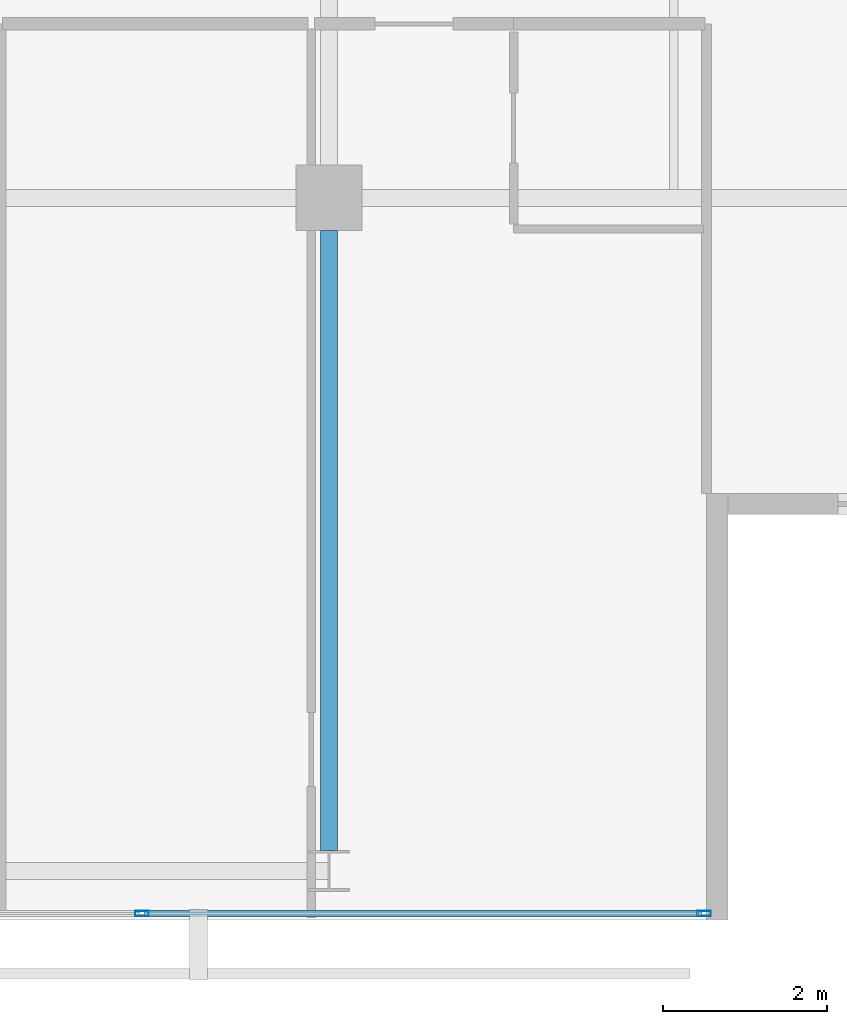
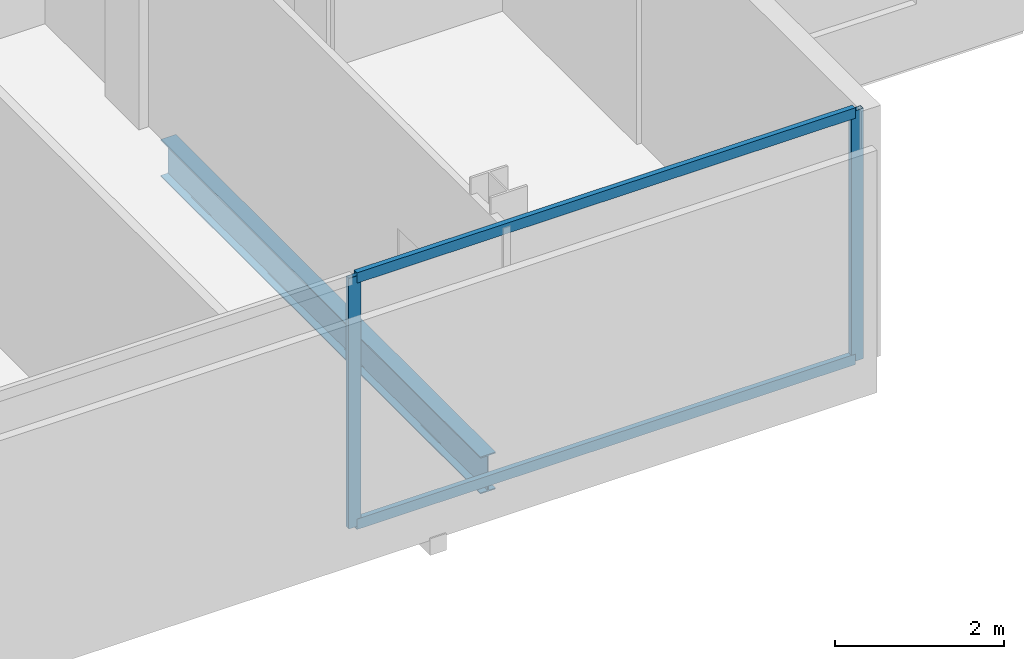
# One storey, part 10 of 26: 4 members, 1 beam, 1 element without a shape of its own.
"""IFC4 building model written with IfcOpenShell, lengths in metres."""

from ifc_helpers import new_model, si_unit, direction, frame, origin, origin_2d, place, context, subcontext, project, spatial, hollow_rectangle, i_section, extrude, material, layer, layer_set, material_profile, profile_set, type_object, element, aggregate, save


model = new_model("IFC4")

# Units and contexts
model_context = context("Model", 3, precision=1e-05, world=origin(), true_north=direction((0.0, 1.0)))
body_context = subcontext(model_context, "Body", "Model", "MODEL_VIEW")
ifc_project = project(units=[si_unit("LENGTHUNIT", "METRE"), si_unit("AREAUNIT", "SQUARE_METRE"), si_unit("VOLUMEUNIT", "CUBIC_METRE"), si_unit("PLANEANGLEUNIT", "RADIAN"), si_unit("MASSUNIT", "GRAM", prefix="KILO")], contexts=[model_context])

# Site, building, storey
site_placement = place(None, origin())
site = spatial("IfcSite", under=ifc_project, at=site_placement, CompositionType="ELEMENT")
building_placement = place(site_placement, origin())
building = spatial("IfcBuilding", under=site, at=building_placement, Name="Maruvema Waterfront Hotel and Observation Tower", CompositionType="ELEMENT")
storey_placement = place(building_placement, frame((0.0, 0.0, 254.800048828125)))
storey = spatial("IfcBuildingStorey", under=building, at=storey_placement, Name="L62", CompositionType="ELEMENT", Elevation=254.800048828125)

# Curtain wall, members
ifc_material_1 = material(Name="Anodised bronze aluminium and solar-control low-E IGU", Category="aluminium")
ifc_layer = layer(ifc_material_1, 0.159912109375, Name="Zone 3 Champagne Inner Thermal Curtain Wall System CW-04")
ifc_layer_set = layer_set([ifc_layer], Name="Anodised bronze aluminium and solar-control low-E IGU")
curtain_wall_type = type_object("IfcCurtainWallType", Name="Zone 3 Champagne Inner Thermal Curtain Wall System CW-04", PredefinedType="USERDEFINED", material=ifc_layer_set)
curtain_wall_placement = place(storey_placement, origin())
curtain_wall = element("IfcCurtainWall", 1, at=curtain_wall_placement, inside=storey, type_object=curtain_wall_type, Name="L62 Curtain Wall CW-L62-S", ObjectType="UNITISED CURTAIN WALL", PredefinedType="USERDEFINED")
ifc_material_2 = material(Name="Anodised architectural bronze aluminium", Category="aluminium")
ifc_material_profile_1 = material_profile(ifc_material_2, hollow_rectangle(XDim=0.070068359375, YDim=0.14990234375, WallThickness=0.00390625, at=origin_2d()), Name="ALU-T70x150")
ifc_profile_set_1 = profile_set([ifc_material_profile_1], Name="Anodised architectural bronze aluminium")
member_type_1 = type_object("IfcMemberType", Name="Curtain Wall Horizontal Transom ALU-T70x150", PredefinedType="USERDEFINED", material=ifc_profile_set_1)
member_1_placement = place(storey_placement, frame((48.14990234375, 9.280029296875, 0.030029296875), z_axis=(1.0, 0.0, 0.0), x_axis=(0.0, 1.0, 0.0)))
member_1 = element("IfcMember", 2, at=member_1_placement, type_object=member_type_1, Name="CW-04 transom 5.1", ObjectType="TRANSOM", PredefinedType="USERDEFINED", context=body_context, shape_type="SweptSolid", body=[
    extrude(hollow_rectangle(XDim=0.070068359375, YDim=0.14990234375, WallThickness=0.00390625, at=origin_2d()), origin(), (0.0, 0.0, 1.0), 6.7900390625),
])
member_2_placement = place(storey_placement, frame((48.14990234375, 9.280029296875, 3.579833984375), z_axis=(1.0, 0.0, 0.0), x_axis=(0.0, 1.0, 0.0)))
member_2 = element("IfcMember", 3, at=member_2_placement, type_object=member_type_1, Name="CW-04 transom 5.2", ObjectType="TRANSOM", PredefinedType="USERDEFINED", context=body_context, shape_type="SweptSolid", body=[
    extrude(hollow_rectangle(XDim=0.070068359375, YDim=0.14990234375, WallThickness=0.00390625, at=origin_2d()), origin(), (0.0, 0.0, 1.0), 6.7900390625),
])
ifc_material_3 = material(Name="Anodised architectural bronze aluminium", Category="aluminium")
ifc_material_profile_2 = material_profile(ifc_material_3, hollow_rectangle(XDim=0.06494140625, YDim=0.1650390625, WallThickness=0.00390625, at=origin_2d()), Name="ALU-M65x165")
ifc_profile_set_2 = profile_set([ifc_material_profile_2], Name="Anodised architectural bronze aluminium")
member_type_2 = type_object("IfcMemberType", Name="Curtain Wall Primary Mullion ALU-M65x165", PredefinedType="MULLION", material=ifc_profile_set_2)
member_3_placement = place(storey_placement, frame((48.1201171875, 9.280029296875, 0.0), z_axis=(0.0, 0.0, 1.0), x_axis=(0.0, 1.0, 0.0)))
member_3 = element("IfcMember", 4, at=member_3_placement, type_object=member_type_2, Name="CW-04 mullion 5", PredefinedType="MULLION", context=body_context, shape_type="SweptSolid", body=[
    extrude(hollow_rectangle(XDim=0.06494140625, YDim=0.1650390625, WallThickness=0.00390625, at=origin_2d()), origin(), (0.0, 0.0, 1.0), 3.60986328125),
])
member_4_placement = place(storey_placement, frame((54.969970703125, 9.280029296875, 0.0), z_axis=(0.0, 0.0, 1.0), x_axis=(0.0, 1.0, 0.0)))
member_4 = element("IfcMember", 5, at=member_4_placement, type_object=member_type_2, Name="CW-04 mullion 6", PredefinedType="MULLION", context=body_context, shape_type="SweptSolid", body=[
    extrude(hollow_rectangle(XDim=0.06494140625, YDim=0.1650390625, WallThickness=0.00390625, at=origin_2d()), origin(), (0.0, 0.0, 1.0), 3.60986328125),
])
aggregate(curtain_wall, [member_3, member_4, member_1, member_2])

# Beam
ifc_material_4 = material(Name="Steel ASTM A572 Grade 50", Category="steel")
ifc_material_profile_3 = material_profile(ifc_material_4, i_section(OverallWidth=0.208984375, OverallDepth=0.532958984375, WebThickness=0.01025390625, FlangeThickness=0.015625, FilletRadius=0.014892578125, at=origin_2d()), Name="W530x92.0")
ifc_profile_set_3 = profile_set([ifc_material_profile_3], Name="Steel ASTM A572 Grade 50")
beam_type = type_object("IfcBeamType", Name="Primary Floor Girder W530x92.0", PredefinedType="BEAM", material=ifc_profile_set_3)
beam_placement = place(storey_placement, frame((50.39990234375, 10.050048828125, -0.506591796875), z_axis=(0.0, 1.0, 0.0), x_axis=(-1.0, 0.0, 0.0)))
element("IfcBeam", 6, at=beam_placement, inside=storey, type_object=beam_type, Name="L62 Floor Girder NS-12", PredefinedType="BEAM", context=body_context, shape_type="SweptSolid", body=[
    extrude(i_section(OverallWidth=0.208984375, OverallDepth=0.532958984375, WebThickness=0.01025390625, FlangeThickness=0.015625, FilletRadius=0.014892578125, at=origin_2d()), origin(), (0.0, 0.0, 1.0), 7.550048828125),
])

save(model, "model.ifc")
